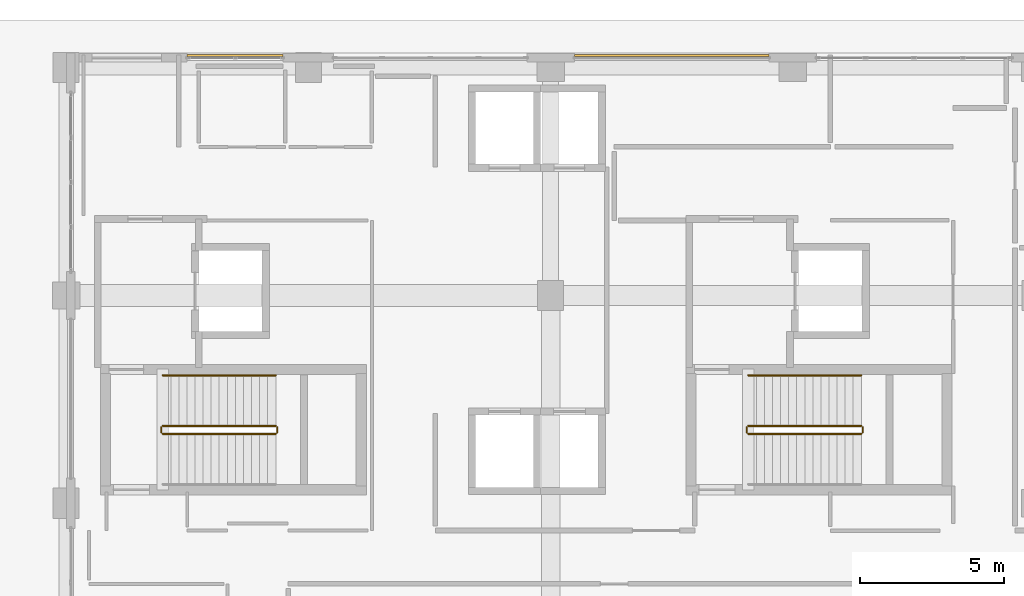
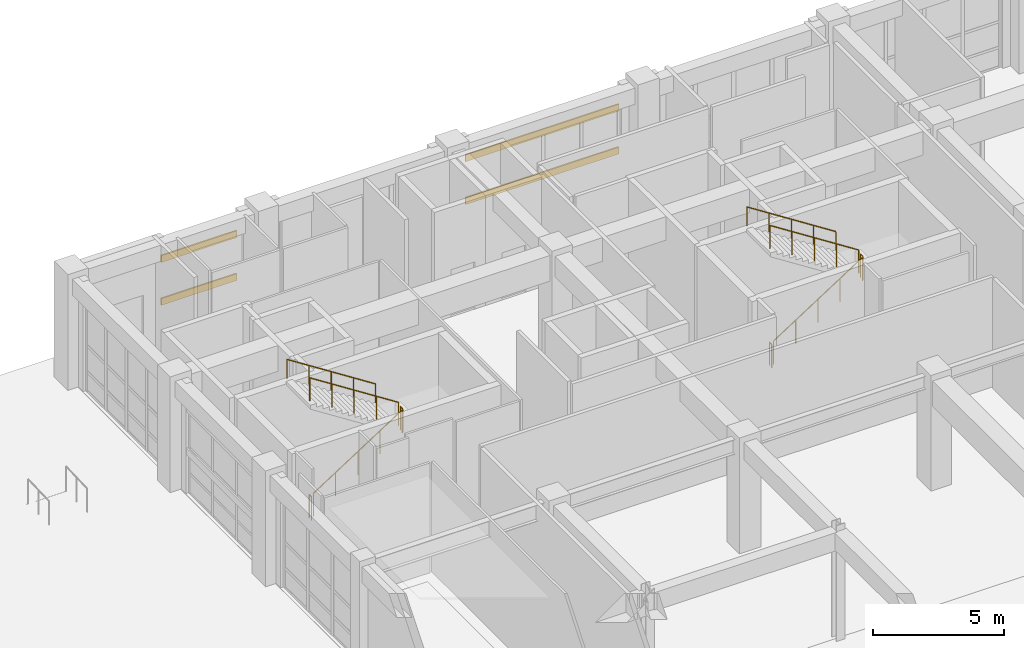
# One storey, part 144 of 148: 10 railings, 4 shading devices.
"""IFC4 building model written with IfcOpenShell, lengths in metres."""

from ifc_helpers import new_model, si_unit, direction, frame, origin, origin_2d, place, context, subcontext, project, spatial, hollow_rectangle, circle, extrude, material, material_profile, profile_set, type_object, element, save


model = new_model("IFC4")

# Units and contexts
model_context = context("Model", 3, precision=1e-05, world=origin(), true_north=direction((0.0, 1.0)))
body_context = subcontext(model_context, "Body", "Model", "MODEL_VIEW")
ifc_project = project(units=[si_unit("LENGTHUNIT", "METRE"), si_unit("AREAUNIT", "SQUARE_METRE"), si_unit("VOLUMEUNIT", "CUBIC_METRE"), si_unit("PLANEANGLEUNIT", "RADIAN"), si_unit("MASSUNIT", "GRAM", prefix="KILO")], contexts=[model_context])

# Site, building, storey
site_placement = place(None, origin())
site = spatial("IfcSite", under=ifc_project, at=site_placement, CompositionType="ELEMENT")
building_placement = place(site_placement, origin())
building = spatial("IfcBuilding", under=site, at=building_placement, Name="Quendrovan Civic Courthouse", CompositionType="ELEMENT")
storey_placement = place(building_placement, origin())
storey = spatial("IfcBuildingStorey", under=building, at=storey_placement, Name="L01", CompositionType="ELEMENT", Elevation=0.0)

# Railings
ifc_material_1 = material(Name="Painted galvanized steel", Category="steel")
railing_type_1 = type_object("IfcRailingType", Name="RL-STR-GUARD1100", PredefinedType="GUARDRAIL", material=ifc_material_1)
railing_1_placement = place(storey_placement, frame((36.949951171875, 97.199951171875, 0.179931640625)))
element("IfcRailing", 1, at=railing_1_placement, inside=storey, type_object=railing_type_1, Name="L01 ST1 stair guard 1", PredefinedType="GUARDRAIL", context=body_context, shape_type="SweptSolid", body=[
    extrude(circle(Radius=0.02392578125, at=origin_2d()), frame((0.0, 0.0, 1.076171875), z_axis=(0.841186985886, 0.0, 0.540744352514), x_axis=(0.0, 1.0, 0.0)), (0.0, 0.0, 1.0), 4.660400390625),
    extrude(circle(Radius=0.02099609375, at=origin_2d()), origin(), (0.0, 0.0, 1.0), 1.052001953125),
    extrude(circle(Radius=0.02099609375, at=origin_2d()), frame((0.97998046875, 0.0, 0.6298828125)), (0.0, 0.0, 1.0), 1.052001953125),
    extrude(circle(Radius=0.02099609375, at=origin_2d()), frame((1.9599609375, 0.0, 1.260009765625)), (0.0, 0.0, 1.0), 1.052001953125),
    extrude(circle(Radius=0.02099609375, at=origin_2d()), frame((2.940185546875, 0.0, 1.89013671875)), (0.0, 0.0, 1.0), 1.052001953125),
    extrude(circle(Radius=0.02099609375, at=origin_2d()), frame((3.920166015625, 0.0, 2.52001953125)), (0.0, 0.0, 1.0), 1.052001953125),
])
railing_2_placement = place(storey_placement, frame((40.919921875, 97.25, 2.699951171875)))
element("IfcRailing", 2, at=railing_2_placement, inside=storey, type_object=railing_type_1, Name="L01 ST1 stair guard 2", PredefinedType="GUARDRAIL", context=body_context, shape_type="SweptSolid", body=[
    extrude(circle(Radius=0.02392578125, at=origin_2d()), frame((0.0, 0.0, 1.076171875), z_axis=(0.0, 1.0, 0.0), x_axis=(-1.0, 0.0, 0.0)), (0.0, 0.0, 1.0), 0.179931640625),
    extrude(circle(Radius=0.02099609375, at=origin_2d()), origin(), (0.0, 0.0, 1.0), 1.052001953125),
    extrude(circle(Radius=0.02099609375, at=origin_2d()), frame((0.0, 0.179931640625, 0.0)), (0.0, 0.0, 1.0), 1.052001953125),
])
railing_3_placement = place(storey_placement, frame((40.8701171875, 97.47998046875, 2.8798828125)))
element("IfcRailing", 3, at=railing_3_placement, inside=storey, type_object=railing_type_1, Name="L01 ST1 stair guard 3", PredefinedType="GUARDRAIL", context=body_context, shape_type="SweptSolid", body=[
    extrude(circle(Radius=0.02392578125, at=origin_2d()), frame((0.0, 0.0, 1.076171875), z_axis=(-0.841186985886, 0.0, 0.540744352514), x_axis=(0.0, -1.0, 0.0)), (0.0, 0.0, 1.0), 4.660400390625),
    extrude(circle(Radius=0.02099609375, at=origin_2d()), origin(), (0.0, 0.0, 1.0), 1.052001953125),
    extrude(circle(Radius=0.02099609375, at=origin_2d()), frame((-0.97998046875, 0.0, 0.6298828125)), (0.0, 0.0, 1.0), 1.052001953125),
    extrude(circle(Radius=0.02099609375, at=origin_2d()), frame((-1.9599609375, 0.0, 1.260009765625)), (0.0, 0.0, 1.0), 1.052001953125),
    extrude(circle(Radius=0.02099609375, at=origin_2d()), frame((-2.940185546875, 0.0, 1.89013671875)), (0.0, 0.0, 1.0), 1.052001953125),
    extrude(circle(Radius=0.02099609375, at=origin_2d()), frame((-3.920166015625, 0.0, 2.52001953125)), (0.0, 0.0, 1.0), 1.052001953125),
])
railing_4_placement = place(storey_placement, frame((36.89990234375, 97.25, 0.0)))
element("IfcRailing", 4, at=railing_4_placement, inside=storey, type_object=railing_type_1, Name="L01 ST1 stair guard 4", PredefinedType="GUARDRAIL", context=body_context, shape_type="SweptSolid", body=[
    extrude(circle(Radius=0.02392578125, at=origin_2d()), frame((0.0, 0.0, 1.076171875), z_axis=(0.0, 1.0, 0.0), x_axis=(-1.0, 0.0, 0.0)), (0.0, 0.0, 1.0), 0.179931640625),
    extrude(circle(Radius=0.02099609375, at=origin_2d()), origin(), (0.0, 0.0, 1.0), 1.052001953125),
    extrude(circle(Radius=0.02099609375, at=origin_2d()), frame((0.0, 0.179931640625, 0.0)), (0.0, 0.0, 1.0), 1.052001953125),
])
railing_5_placement = place(storey_placement, frame((57.25, 97.199951171875, 0.179931640625)))
element("IfcRailing", 5, at=railing_5_placement, inside=storey, type_object=railing_type_1, Name="L01 ST2 stair guard 1", PredefinedType="GUARDRAIL", context=body_context, shape_type="SweptSolid", body=[
    extrude(circle(Radius=0.02392578125, at=origin_2d()), frame((0.0, 0.0, 1.076171875), z_axis=(0.841171666519, 0.0, 0.540768182723), x_axis=(0.0, 1.0, 0.0)), (0.0, 0.0, 1.0), 4.66015625),
    extrude(circle(Radius=0.02099609375, at=origin_2d()), origin(), (0.0, 0.0, 1.0), 1.052001953125),
    extrude(circle(Radius=0.02099609375, at=origin_2d()), frame((0.97998046875, 0.0, 0.6298828125)), (0.0, 0.0, 1.0), 1.052001953125),
    extrude(circle(Radius=0.02099609375, at=origin_2d()), frame((1.9599609375, 0.0, 1.260009765625)), (0.0, 0.0, 1.0), 1.052001953125),
    extrude(circle(Radius=0.02099609375, at=origin_2d()), frame((2.93994140625, 0.0, 1.89013671875)), (0.0, 0.0, 1.0), 1.052001953125),
    extrude(circle(Radius=0.02099609375, at=origin_2d()), frame((3.919921875, 0.0, 2.52001953125)), (0.0, 0.0, 1.0), 1.052001953125),
])
railing_6_placement = place(storey_placement, frame((61.219970703125, 97.25, 2.699951171875)))
element("IfcRailing", 6, at=railing_6_placement, inside=storey, type_object=railing_type_1, Name="L01 ST2 stair guard 2", PredefinedType="GUARDRAIL", context=body_context, shape_type="SweptSolid", body=[
    extrude(circle(Radius=0.02392578125, at=origin_2d()), frame((0.0, 0.0, 1.076171875), z_axis=(0.0, 1.0, 0.0), x_axis=(-1.0, 0.0, 0.0)), (0.0, 0.0, 1.0), 0.179931640625),
    extrude(circle(Radius=0.02099609375, at=origin_2d()), origin(), (0.0, 0.0, 1.0), 1.052001953125),
    extrude(circle(Radius=0.02099609375, at=origin_2d()), frame((0.0, 0.179931640625, 0.0)), (0.0, 0.0, 1.0), 1.052001953125),
])
railing_7_placement = place(storey_placement, frame((61.169921875, 97.47998046875, 2.8798828125)))
element("IfcRailing", 7, at=railing_7_placement, inside=storey, type_object=railing_type_1, Name="L01 ST2 stair guard 3", PredefinedType="GUARDRAIL", context=body_context, shape_type="SweptSolid", body=[
    extrude(circle(Radius=0.02392578125, at=origin_2d()), frame((0.0, 0.0, 1.076171875), z_axis=(-0.841171666519, 0.0, 0.540768182723), x_axis=(0.0, -1.0, 0.0)), (0.0, 0.0, 1.0), 4.66015625),
    extrude(circle(Radius=0.02099609375, at=origin_2d()), origin(), (0.0, 0.0, 1.0), 1.052001953125),
    extrude(circle(Radius=0.02099609375, at=origin_2d()), frame((-0.97998046875, 0.0, 0.6298828125)), (0.0, 0.0, 1.0), 1.052001953125),
    extrude(circle(Radius=0.02099609375, at=origin_2d()), frame((-1.9599609375, 0.0, 1.260009765625)), (0.0, 0.0, 1.0), 1.052001953125),
    extrude(circle(Radius=0.02099609375, at=origin_2d()), frame((-2.93994140625, 0.0, 1.89013671875)), (0.0, 0.0, 1.0), 1.052001953125),
    extrude(circle(Radius=0.02099609375, at=origin_2d()), frame((-3.919921875, 0.0, 2.52001953125)), (0.0, 0.0, 1.0), 1.052001953125),
])
railing_8_placement = place(storey_placement, frame((57.199951171875, 97.25, 0.0)))
element("IfcRailing", 8, at=railing_8_placement, inside=storey, type_object=railing_type_1, Name="L01 ST2 stair guard 4", PredefinedType="GUARDRAIL", context=body_context, shape_type="SweptSolid", body=[
    extrude(circle(Radius=0.02392578125, at=origin_2d()), frame((0.0, 0.0, 1.076171875), z_axis=(0.0, 1.0, 0.0), x_axis=(-1.0, 0.0, 0.0)), (0.0, 0.0, 1.0), 0.179931640625),
    extrude(circle(Radius=0.02099609375, at=origin_2d()), origin(), (0.0, 0.0, 1.0), 1.052001953125),
    extrude(circle(Radius=0.02099609375, at=origin_2d()), frame((0.0, 0.179931640625, 0.0)), (0.0, 0.0, 1.0), 1.052001953125),
])
ifc_material_2 = material(Name="Bronze anodised aluminium", Category="aluminium")
railing_type_2 = type_object("IfcRailingType", Name="RL-STR-HAND900", PredefinedType="HANDRAIL", material=ifc_material_2)
railing_9_placement = place(storey_placement, frame((40.8701171875, 99.22998046875, 2.8798828125)))
element("IfcRailing", 9, at=railing_9_placement, inside=storey, type_object=railing_type_2, Name="L01 ST1 stair handrail 2", PredefinedType="HANDRAIL", context=body_context, shape_type="SweptSolid", body=[
    extrude(circle(Radius=0.02392578125, at=origin_2d()), frame((0.0, 0.0, 0.8759765625), z_axis=(-0.841186985886, 0.0, 0.540744352514), x_axis=(0.0, -1.0, 0.0)), (0.0, 0.0, 1.0), 4.660400390625),
    extrude(circle(Radius=0.02099609375, at=origin_2d()), origin(), (0.0, 0.0, 1.0), 0.851806640625),
    extrude(circle(Radius=0.02099609375, at=origin_2d()), frame((-0.97998046875, 0.0, 0.6298828125)), (0.0, 0.0, 1.0), 0.851806640625),
    extrude(circle(Radius=0.02099609375, at=origin_2d()), frame((-1.9599609375, 0.0, 1.260009765625)), (0.0, 0.0, 1.0), 0.851806640625),
    extrude(circle(Radius=0.02099609375, at=origin_2d()), frame((-2.940185546875, 0.0, 1.89013671875)), (0.0, 0.0, 1.0), 0.851806640625),
    extrude(circle(Radius=0.02099609375, at=origin_2d()), frame((-3.920166015625, 0.0, 2.52001953125)), (0.0, 0.0, 1.0), 0.851806640625),
])
railing_10_placement = place(storey_placement, frame((61.169921875, 99.22998046875, 2.8798828125)))
element("IfcRailing", 10, at=railing_10_placement, inside=storey, type_object=railing_type_2, Name="L01 ST2 stair handrail 2", PredefinedType="HANDRAIL", context=body_context, shape_type="SweptSolid", body=[
    extrude(circle(Radius=0.02392578125, at=origin_2d()), frame((0.0, 0.0, 0.8759765625), z_axis=(-0.841171666519, 0.0, 0.540768182723), x_axis=(0.0, -1.0, 0.0)), (0.0, 0.0, 1.0), 4.66015625),
    extrude(circle(Radius=0.02099609375, at=origin_2d()), origin(), (0.0, 0.0, 1.0), 0.851806640625),
    extrude(circle(Radius=0.02099609375, at=origin_2d()), frame((-0.97998046875, 0.0, 0.6298828125)), (0.0, 0.0, 1.0), 0.851806640625),
    extrude(circle(Radius=0.02099609375, at=origin_2d()), frame((-1.9599609375, 0.0, 1.260009765625)), (0.0, 0.0, 1.0), 0.851806640625),
    extrude(circle(Radius=0.02099609375, at=origin_2d()), frame((-2.93994140625, 0.0, 1.89013671875)), (0.0, 0.0, 1.0), 0.851806640625),
    extrude(circle(Radius=0.02099609375, at=origin_2d()), frame((-3.919921875, 0.0, 2.52001953125)), (0.0, 0.0, 1.0), 0.851806640625),
])

# Shading devices
ifc_material_profile = material_profile(ifc_material_2, hollow_rectangle(XDim=0.06494140625, YDim=0.320068359375, WallThickness=0.0048828125, at=origin_2d()), Name="AL-LOUVRE-65x320")
ifc_profile_set = profile_set([ifc_material_profile], Name="Bronze anodised aluminium")
shading_device_type = type_object("IfcShadingDeviceType", Name="SHD-STORM-LOUVRE", PredefinedType="JALOUSIE", material=ifc_profile_set)
for number, where, z_axis, x_axis, name in (
    (11, (37.800048828125, 110.31494140625, 1.949951171875), (1.0, 0.0, 0.0), (0.0, 1.0, 0.0), "L01 Bronze Hurricane Storm Louvre SLV-025"),
    (12, (37.800048828125, 110.31494140625, 3.949951171875), (1.0, 0.0, 0.0), (0.0, 1.0, 0.0), "L01 Bronze Hurricane Storm Louvre SLV-026"),
):
    element("IfcShadingDevice", number, at=place(storey_placement, frame(where, z_axis=z_axis, x_axis=x_axis)), inside=storey, type_object=shading_device_type, Name=name, PredefinedType="JALOUSIE", context=body_context, shape_type="SweptSolid", body=[
        extrude(hollow_rectangle(XDim=0.06494140625, YDim=0.320068359375, WallThickness=0.0048828125, at=origin_2d()), origin(), (0.0, 0.0, 1.0), 3.324951171875),
    ])
for number, where, z_axis, x_axis, name in (
    (13, (51.22509765625, 110.31494140625, 1.949951171875), (1.0, 0.0, 0.0), (0.0, 1.0, 0.0), "L01 Bronze Hurricane Storm Louvre SLV-027"),
    (14, (51.22509765625, 110.31494140625, 3.949951171875), (1.0, 0.0, 0.0), (0.0, 1.0, 0.0), "L01 Bronze Hurricane Storm Louvre SLV-028"),
):
    element("IfcShadingDevice", number, at=place(storey_placement, frame(where, z_axis=z_axis, x_axis=x_axis)), inside=storey, type_object=shading_device_type, Name=name, PredefinedType="JALOUSIE", context=body_context, shape_type="SweptSolid", body=[
        extrude(hollow_rectangle(XDim=0.06494140625, YDim=0.320068359375, WallThickness=0.0048828125, at=origin_2d()), origin(), (0.0, 0.0, 1.0), 6.75),
    ])

save(model, "model.ifc")
